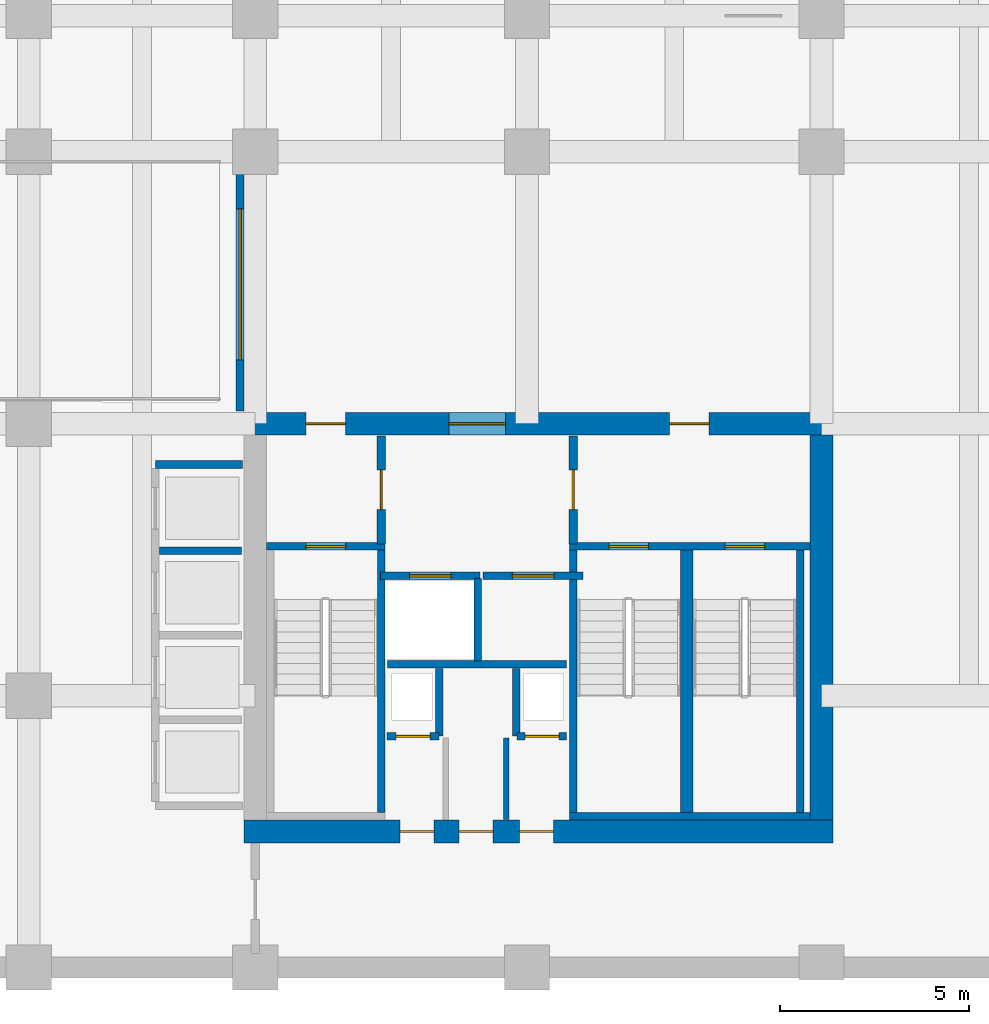
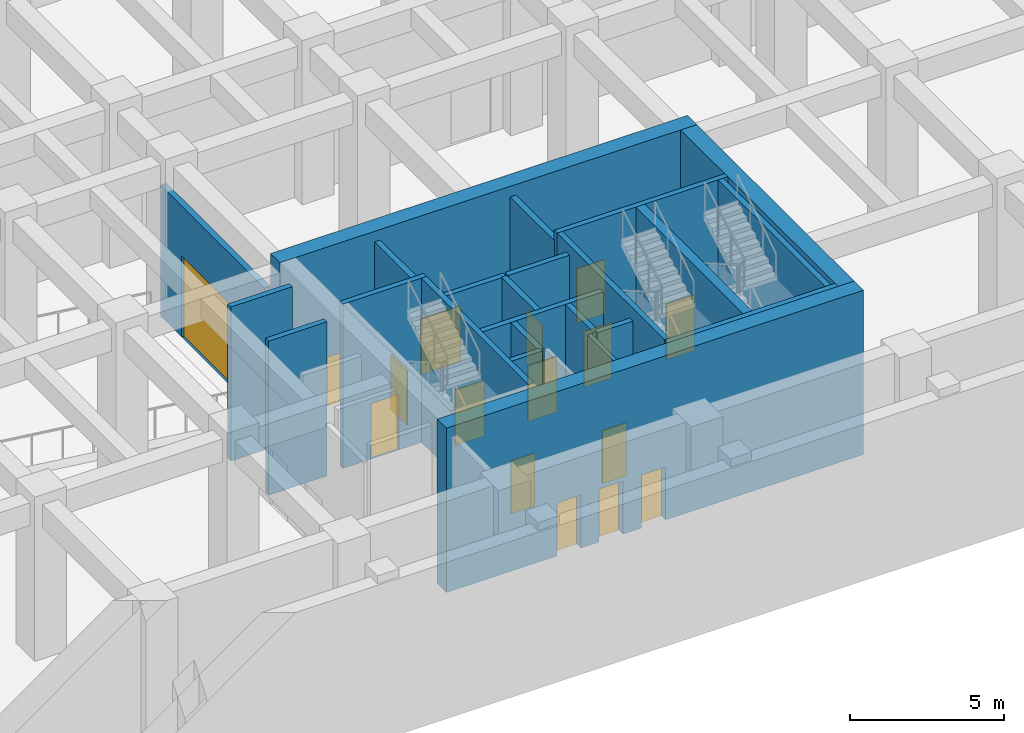
# One storey, part 5 of 13: 24 walls, 16 doors, 16 openings.
"""IFC4 building model written with IfcOpenShell, lengths in metres."""

from ifc_helpers import new_model, si_unit, derived_unit, direction, frame, frame_2d, origin, place, context, subcontext, project, spatial, rectangle, extrude, source, transform, mapped, material, layer, layer_set, type_object, type_shapes, element, fill, save


model = new_model("IFC4")

# Units and contexts
model_context = context("Model", 3, precision=1e-05, world=origin(), true_north=direction((0.0, 1.0)))
body_context = subcontext(model_context, "Body", "Model", "MODEL_VIEW")
ifc_project = project(units=[si_unit("LENGTHUNIT", "METRE"), si_unit("AREAUNIT", "SQUARE_METRE"), si_unit("VOLUMEUNIT", "CUBIC_METRE"), si_unit("PLANEANGLEUNIT", "RADIAN"), si_unit("MASSUNIT", "GRAM", prefix="KILO"), si_unit("THERMODYNAMICTEMPERATUREUNIT", "KELVIN"), si_unit("POWERUNIT", "WATT"), derived_unit("THERMALTRANSMITTANCEUNIT", [(si_unit("POWERUNIT", "WATT"), 1), (si_unit("AREAUNIT", "SQUARE_METRE"), -1), (si_unit("THERMODYNAMICTEMPERATUREUNIT", "KELVIN"), -1)])], contexts=[model_context])

# Site, building, storey
site_placement = place(None, origin())
site = spatial("IfcSite", under=ifc_project, at=site_placement, CompositionType="ELEMENT")
building_placement = place(site_placement, origin())
building = spatial("IfcBuilding", under=site, at=building_placement, Name="Zahravan Archway Hotel and Residences", CompositionType="ELEMENT")
storey_placement = place(building_placement, frame((0.0, 0.0, -6.5)))
storey = spatial("IfcBuildingStorey", under=building, at=storey_placement, Name="B01", CompositionType="ELEMENT", Elevation=-6.5)

# Wall, openings, doors
ifc_material_1 = material(Name="Concrete C70/85", Category="concrete")
ifc_layer_1 = layer(ifc_material_1, 0.60009765625, Name="Concrete C70/85", Category="concrete")
ifc_layer_set_1 = layer_set([ifc_layer_1], Name="Concrete C70/85")
wall_type_1 = type_object("IfcWallType", Name="CW-CORE-600", PredefinedType="SHEAR", material=ifc_layer_set_1)
wall_1_placement = place(storey_placement, frame((34.5, 3.60009765625, 0.0), z_axis=(0.0, 0.0, 1.0), x_axis=(1.0, 0.0, 0.0)))
wall_1 = element("IfcWall", 1, at=wall_1_placement, inside=storey, type_object=wall_type_1, Name="B01 Core A Shear S Wall 600 mm", PredefinedType="SHEAR", context=body_context, shape_type="SweptSolid", body=[
    extrude(rectangle(XDim=15.60009765625, YDim=0.60009765625, at=frame_2d((7.800048828125, 0.0))), origin(), (0.0, 0.0, 1.0), 6.5),
])
opening_1_placement = place(wall_1_placement, frame((4.1298828125, 0.0, 0.0)))
opening_1 = element("IfcOpeningElement", 2, at=opening_1_placement, cuts=wall_1, Name="Opening FD-R1", PredefinedType="OPENING", context=body_context, shape_type="SweptSolid", body=[
    extrude(rectangle(XDim=0.89990234375, YDim=2.10009765625, at=frame_2d((0.449951171875, 1.050048828125))), frame((0.0, 0.31005859375, 0.0), z_axis=(0.0, -1.0, 0.0), x_axis=(1.0, 0.0, 0.0)), (0.0, 0.0, 1.0), 0.6201171875),
])
opening_2_placement = place(wall_1_placement, frame((5.699951171875, 0.0, 0.0)))
opening_2 = element("IfcOpeningElement", 3, at=opening_2_placement, cuts=wall_1, Name="Opening FD-R1", PredefinedType="OPENING", context=body_context, shape_type="SweptSolid", body=[
    extrude(rectangle(XDim=0.89990234375, YDim=2.10009765625, at=frame_2d((0.449951171875, 1.050048828125))), frame((0.0, 0.31005859375, 0.0), z_axis=(0.0, -1.0, 0.0), x_axis=(1.0, 0.0, 0.0)), (0.0, 0.0, 1.0), 0.6201171875),
])
opening_3_placement = place(wall_1_placement, frame((7.300048828125, 0.0, 0.0)))
opening_3 = element("IfcOpeningElement", 4, at=opening_3_placement, cuts=wall_1, Name="Opening FD-R1", PredefinedType="OPENING", context=body_context, shape_type="SweptSolid", body=[
    extrude(rectangle(XDim=0.89990234375, YDim=2.10009765625, at=frame_2d((0.449951171875, 1.050048828125))), frame((0.0, 0.31005859375, 0.0), z_axis=(0.0, -1.0, 0.0), x_axis=(1.0, 0.0, 0.0)), (0.0, 0.0, 1.0), 0.6201171875),
])
ifc_material_2 = material(Name="Fire-Rated Painted Steel", Category="steel")
door_type_1 = type_object("IfcDoorType", Name="FD-RISER-900", OperationType="NOTDEFINED", PredefinedType="DOOR", material=ifc_material_2)
shared_shape_1 = source(origin(), body_context, "Body", "SweptSolid", [
    extrude(rectangle(XDim=0.89990234375, YDim=2.10009765625, at=frame_2d((0.449951171875, 1.050048828125))), frame((0.0, 0.02490234375, 0.0), z_axis=(0.0, -1.0, 0.0), x_axis=(1.0, 0.0, 0.0)), (0.0, 0.0, 1.0), 0.050048828125),
])
type_shapes(door_type_1, [shared_shape_1])
door_1_placement = place(opening_1_placement, origin())
door_1 = element("IfcDoor", 5, at=door_1_placement, inside=storey, type_object=door_type_1, Name="B01 Linen Store Door", OperationType="SINGLE_SWING_RIGHT", OverallHeight=2.10009765625, OverallWidth=0.89990234375, PredefinedType="DOOR", context=body_context, shape_type="MappedRepresentation", body=[
    mapped(shared_shape_1, transform((0.0, 0.0, 0.0), scale=1.0)),
])
fill(opening_1, door_1)
door_2_placement = place(opening_2_placement, origin())
door_2 = element("IfcDoor", 6, at=door_2_placement, inside=storey, type_object=door_type_1, Name="B01 Housekeeping Store Door", OperationType="SINGLE_SWING_LEFT", OverallHeight=2.10009765625, OverallWidth=0.89990234375, PredefinedType="DOOR", context=body_context, shape_type="MappedRepresentation", body=[
    mapped(shared_shape_1, transform((0.0, 0.0, 0.0), scale=1.0)),
])
fill(opening_2, door_2)
door_3_placement = place(opening_3_placement, origin())
door_3 = element("IfcDoor", 7, at=door_3_placement, inside=storey, type_object=door_type_1, Name="B01 Janitor Store Door", OperationType="SINGLE_SWING_RIGHT", OverallHeight=2.10009765625, OverallWidth=0.89990234375, PredefinedType="DOOR", context=body_context, shape_type="MappedRepresentation", body=[
    mapped(shared_shape_1, transform((0.0, 0.0, 0.0), scale=1.0)),
])
fill(opening_3, door_3)

wall_2_placement = place(storey_placement, frame((34.5, 14.39990234375, 0.0), z_axis=(0.0, 0.0, 1.0), x_axis=(1.0, 0.0, 0.0)))
wall_2 = element("IfcWall", 8, at=wall_2_placement, inside=storey, type_object=wall_type_1, Name="B01 Core A Shear N Wall 600 mm", PredefinedType="SHEAR", context=body_context, shape_type="SweptSolid", body=[
    extrude(rectangle(XDim=15.60009765625, YDim=0.60009765625, at=frame_2d((7.800048828125, 0.0))), origin(), (0.0, 0.0, 1.0), 6.5),
])
opening_4_placement = place(wall_2_placement, frame((5.429931640625, 0.0, 0.0)))
opening_4 = element("IfcOpeningElement", 9, at=opening_4_placement, cuts=wall_2, Name="Opening FD-L1", PredefinedType="OPENING", context=body_context, shape_type="SweptSolid", body=[
    extrude(rectangle(XDim=1.5, YDim=2.199951171875, at=frame_2d((0.75, 1.10009765625))), frame((0.0, 0.31005859375, 0.0), z_axis=(0.0, -1.0, 0.0), x_axis=(1.0, 0.0, 0.0)), (0.0, 0.0, 1.0), 0.6201171875),
])
opening_5_placement = place(wall_2_placement, frame((1.64501953125, 0.0, 0.0)))
opening_5 = element("IfcOpeningElement", 10, at=opening_5_placement, cuts=wall_2, Name="Opening FD-L2", PredefinedType="OPENING", context=body_context, shape_type="SweptSolid", body=[
    extrude(rectangle(XDim=1.050048828125, YDim=2.14990234375, at=frame_2d((0.52490234375, 1.074951171875))), frame((0.0, 0.31005859375, 0.0), z_axis=(0.0, -1.0, 0.0), x_axis=(1.0, 0.0, 0.0)), (0.0, 0.0, 1.0), 0.6201171875),
])
opening_6_placement = place(wall_2_placement, frame((11.27490234375, 0.0, 0.0)))
opening_6 = element("IfcOpeningElement", 11, at=opening_6_placement, cuts=wall_2, Name="Opening FD-L2", PredefinedType="OPENING", context=body_context, shape_type="SweptSolid", body=[
    extrude(rectangle(XDim=1.050048828125, YDim=2.14990234375, at=frame_2d((0.52490234375, 1.074951171875))), frame((0.0, 0.31005859375, 0.0), z_axis=(0.0, -1.0, 0.0), x_axis=(1.0, 0.0, 0.0)), (0.0, 0.0, 1.0), 0.6201171875),
])
door_type_2 = type_object("IfcDoorType", Name="FD-LOBBY-1100", OperationType="NOTDEFINED", PredefinedType="DOOR", material=ifc_material_2)
shared_shape_2 = source(origin(), body_context, "Body", "SweptSolid", [
    extrude(rectangle(XDim=1.050048828125, YDim=2.14990234375, at=frame_2d((0.52490234375, 1.074951171875))), frame((0.0, 0.02490234375, 0.0), z_axis=(0.0, -1.0, 0.0), x_axis=(1.0, 0.0, 0.0)), (0.0, 0.0, 1.0), 0.050048828125),
])
type_shapes(door_type_2, [shared_shape_2])
door_4_placement = place(opening_5_placement, origin())
door_4 = element("IfcDoor", 12, at=door_4_placement, inside=storey, type_object=door_type_2, Name="B01 Core A West Stair Lobby Door", OperationType="SINGLE_SWING_RIGHT", OverallHeight=2.14990234375, OverallWidth=1.050048828125, PredefinedType="DOOR", context=body_context, shape_type="MappedRepresentation", body=[
    mapped(shared_shape_2, transform((0.0, 0.0, 0.0), scale=1.0)),
])
fill(opening_5, door_4)
door_5_placement = place(opening_6_placement, origin())
door_5 = element("IfcDoor", 13, at=door_5_placement, inside=storey, type_object=door_type_2, Name="B01 Core A East Stair Lobby Door", OperationType="SINGLE_SWING_LEFT", OverallHeight=2.14990234375, OverallWidth=1.050048828125, PredefinedType="DOOR", context=body_context, shape_type="MappedRepresentation", body=[
    mapped(shared_shape_2, transform((0.0, 0.0, 0.0), scale=1.0)),
])
fill(opening_6, door_5)
door_type_3 = type_object("IfcDoorType", Name="FD-LOBBY-1500", OperationType="DOUBLE_DOOR_SINGLE_SWING", PredefinedType="DOOR", material=ifc_material_2)
shared_shape_3 = source(origin(), body_context, "Body", "SweptSolid", [
    extrude(rectangle(XDim=1.5, YDim=2.199951171875, at=frame_2d((0.75, 1.10009765625))), frame((0.0, 0.02490234375, 0.0), z_axis=(0.0, -1.0, 0.0), x_axis=(1.0, 0.0, 0.0)), (0.0, 0.0, 1.0), 0.050048828125),
])
type_shapes(door_type_3, [shared_shape_3])
door_6_placement = place(opening_4_placement, origin())
door_6 = element("IfcDoor", 14, at=door_6_placement, inside=storey, type_object=door_type_3, Name="B01 Core A FSAE Lobby Main Door", OperationType="DOUBLE_DOOR_SINGLE_SWING", OverallHeight=2.199951171875, OverallWidth=1.5, PredefinedType="DOOR", context=body_context, shape_type="MappedRepresentation", body=[
    mapped(shared_shape_3, transform((0.0, 0.0, 0.0), scale=1.0)),
])
fill(opening_4, door_6)

# Wall
wall_3_placement = place(storey_placement, frame((49.800048828125, 3.89990234375, 0.0), z_axis=(0.0, 0.0, 1.0), x_axis=(0.0, 1.0, 0.0)))
element("IfcWall", 15, at=wall_3_placement, inside=storey, type_object=wall_type_1, Name="B01 Core A Shear E Wall 600 mm", PredefinedType="SHEAR", context=body_context, shape_type="SweptSolid", body=[
    extrude(rectangle(XDim=10.2001953125, YDim=0.60009765625, at=frame_2d((5.10009765625, 0.0))), origin(), (0.0, 0.0, 1.0), 6.5),
])

# Wall, opening, door
ifc_material_3 = material(Name="Fire-Rated Gypsum & Concrete Block", Category="concrete")
ifc_layer_2 = layer(ifc_material_3, 0.219970703125, Name="Fire-Rated Gypsum & Concrete Block", Category="concrete")
ifc_layer_set_2 = layer_set([ifc_layer_2], Name="Fire-Rated Gypsum & Concrete Block")
wall_type_2 = type_object("IfcWallType", Name="PW-COMP-220", PredefinedType="PARTITIONING", material=ifc_layer_set_2)
wall_4_placement = place(storey_placement, frame((38.139892578125, 11.219970703125, 0.0), z_axis=(0.0, 0.0, 1.0), x_axis=(0.0, 1.0, 0.0)))
wall_4 = element("IfcWall", 16, at=wall_4_placement, inside=storey, type_object=wall_type_2, Name="B01 Partition CA-LOBW", PredefinedType="PARTITIONING", context=body_context, shape_type="SweptSolid", body=[
    extrude(rectangle(XDim=2.860107421875, YDim=0.219970703125, at=frame_2d((1.43017578125, 0.0))), origin(), (0.0, 0.0, 1.0), 6.10009765625),
])
opening_7_placement = place(wall_4_placement, frame((0.905029296875, 0.0, 0.0)))
opening_7 = element("IfcOpeningElement", 17, at=opening_7_placement, cuts=wall_4, Name="Opening FD-L2", PredefinedType="OPENING", context=body_context, shape_type="SweptSolid", body=[
    extrude(rectangle(XDim=1.050048828125, YDim=2.14990234375, at=frame_2d((0.52490234375, 1.074951171875))), frame((0.0, 0.1201171875, 0.0), z_axis=(0.0, -1.0, 0.0), x_axis=(1.0, 0.0, 0.0)), (0.0, 0.0, 1.0), 0.239990234375),
])
door_7_placement = place(opening_7_placement, origin())
door_7 = element("IfcDoor", 18, at=door_7_placement, inside=storey, type_object=door_type_2, Name="B01 Core A West Stair to FSAE Lobby Door", OperationType="SINGLE_SWING_RIGHT", OverallHeight=2.14990234375, OverallWidth=1.050048828125, PredefinedType="DOOR", context=body_context, shape_type="MappedRepresentation", body=[
    mapped(shared_shape_2, transform((0.0, 0.0, 0.0), scale=1.0)),
])
fill(opening_7, door_7)

wall_5_placement = place(storey_placement, frame((43.219970703125, 11.219970703125, 0.0), z_axis=(0.0, 0.0, 1.0), x_axis=(0.0, 1.0, 0.0)))
wall_5 = element("IfcWall", 19, at=wall_5_placement, inside=storey, type_object=wall_type_2, Name="B01 Partition CA-LOBE", PredefinedType="PARTITIONING", context=body_context, shape_type="SweptSolid", body=[
    extrude(rectangle(XDim=2.860107421875, YDim=0.219970703125, at=frame_2d((1.43017578125, 0.0))), origin(), (0.0, 0.0, 1.0), 6.10009765625),
])
opening_8_placement = place(wall_5_placement, frame((0.905029296875, 0.0, 0.0)))
opening_8 = element("IfcOpeningElement", 20, at=opening_8_placement, cuts=wall_5, Name="Opening FD-L2", PredefinedType="OPENING", context=body_context, shape_type="SweptSolid", body=[
    extrude(rectangle(XDim=1.050048828125, YDim=2.14990234375, at=frame_2d((0.52490234375, 1.074951171875))), frame((0.0, 0.1201171875, 0.0), z_axis=(0.0, -1.0, 0.0), x_axis=(1.0, 0.0, 0.0)), (0.0, 0.0, 1.0), 0.239990234375),
])
door_8_placement = place(opening_8_placement, origin())
door_8 = element("IfcDoor", 21, at=door_8_placement, inside=storey, type_object=door_type_2, Name="B01 Core A East Stair to FSAE Lobby Door", OperationType="SINGLE_SWING_LEFT", OverallHeight=2.14990234375, OverallWidth=1.050048828125, PredefinedType="DOOR", context=body_context, shape_type="MappedRepresentation", body=[
    mapped(shared_shape_2, transform((0.0, 0.0, 0.0), scale=1.0)),
])
fill(opening_8, door_8)

wall_6_placement = place(storey_placement, frame((34.39990234375, 14.739990234375, 0.0), z_axis=(0.0, 0.0, 1.0), x_axis=(0.0, 1.0, 0.0)))
wall_6 = element("IfcWall", 22, at=wall_6_placement, inside=storey, type_object=wall_type_2, Name="B01 Partition B1-VG-PORT", PredefinedType="PARTITIONING", context=body_context, shape_type="SweptSolid", body=[
    extrude(rectangle(XDim=6.719970703125, YDim=0.219970703125, at=frame_2d((3.35986328125, 0.0))), origin(), (0.0, 0.0, 1.0), 5.18505859375),
])
opening_9_placement = place(wall_6_placement, frame((1.35009765625, 0.0, 0.0)))
opening_9 = element("IfcOpeningElement", 23, at=opening_9_placement, cuts=wall_6, Name="Opening VG-1", PredefinedType="OPENING", context=body_context, shape_type="SweptSolid", body=[
    extrude(rectangle(XDim=4.0, YDim=3.199951171875, at=frame_2d((2.0, 1.60009765625))), frame((0.0, 0.1201171875, 0.0), z_axis=(0.0, -1.0, 0.0), x_axis=(1.0, 0.0, 0.0)), (0.0, 0.0, 1.0), 0.239990234375),
])
ifc_material_4 = material(Name="Perforated Powder-Coated Steel", Category="steel")
door_type_4 = type_object("IfcDoorType", Name="VG-SHUTTER-6000", OperationType="ROLLINGUP", PredefinedType="GATE", material=ifc_material_4)
shared_shape_4 = source(origin(), body_context, "Body", "SweptSolid", [
    extrude(rectangle(XDim=4.0, YDim=3.199951171875, at=frame_2d((2.0, 1.60009765625))), frame((0.0, 0.02490234375, 0.0), z_axis=(0.0, -1.0, 0.0), x_axis=(1.0, 0.0, 0.0)), (0.0, 0.0, 1.0), 0.050048828125),
])
type_shapes(door_type_4, [shared_shape_4])
door_9_placement = place(opening_9_placement, origin())
door_9 = element("IfcDoor", 24, at=door_9_placement, inside=storey, type_object=door_type_4, Name="B01 Car Park Ramp Security Rolling Gate VG-1", OperationType="ROLLINGUP", OverallHeight=3.199951171875, OverallWidth=4.0, PredefinedType="GATE", context=body_context, shape_type="MappedRepresentation", body=[
    mapped(shared_shape_4, transform((0.0, 0.0, 0.0), scale=1.0)),
])
fill(opening_9, door_9)

# Walls
ifc_layer_3 = layer(ifc_material_3, 0.199951171875, Name="Fire-Rated Gypsum & Concrete Block", Category="concrete")
ifc_layer_set_3 = layer_set([ifc_layer_3], Name="Fire-Rated Gypsum & Concrete Block")
wall_type_3 = type_object("IfcWallType", Name="PW-SHAFT-200", PredefinedType="PARTITIONING", material=ifc_layer_set_3)
wall_7_placement = place(storey_placement, frame((38.300048828125, 8.030029296875, 0.0), z_axis=(0.0, 0.0, 1.0), x_axis=(1.0, 0.0, 0.0)))
element("IfcWall", 25, at=wall_7_placement, inside=storey, type_object=wall_type_3, Name="B01 Partition CA-FLS", PredefinedType="PARTITIONING", context=body_context, shape_type="SweptSolid", body=[
    extrude(rectangle(XDim=4.739990234375, YDim=0.199951171875, at=frame_2d((2.3701171875, 0.0))), origin(), (0.0, 0.0, 1.0), 6.10009765625),
])
wall_8_placement = place(storey_placement, frame((40.699951171875, 8.1201171875, 0.0), z_axis=(0.0, 0.0, 1.0), x_axis=(0.0, 1.0, 0.0)))
element("IfcWall", 26, at=wall_8_placement, inside=storey, type_object=wall_type_3, Name="B01 Partition CA-FLM", PredefinedType="PARTITIONING", context=body_context, shape_type="SweptSolid", body=[
    extrude(rectangle(XDim=2.179931640625, YDim=0.199951171875, at=frame_2d((1.08984375, 0.0))), origin(), (0.0, 0.0, 1.0), 6.10009765625),
])

# Wall, opening, door
wall_9_placement = place(storey_placement, frame((38.2900390625, 6.1201171875, 0.0), z_axis=(0.0, 0.0, 1.0), x_axis=(1.0, 0.0, 0.0)))
wall_9 = element("IfcWall", 27, at=wall_9_placement, inside=storey, type_object=wall_type_3, Name="B01 Partition CA-SMKS", PredefinedType="PARTITIONING", context=body_context, shape_type="SweptSolid", body=[
    extrude(rectangle(XDim=1.3798828125, YDim=0.199951171875, at=frame_2d((0.68994140625, 0.0))), origin(), (0.0, 0.0, 1.0), 6.10009765625),
])
opening_10_placement = place(wall_9_placement, frame((0.239990234375, 0.0, 0.0)))
opening_10 = element("IfcOpeningElement", 28, at=opening_10_placement, cuts=wall_9, Name="Opening FD-R1", PredefinedType="OPENING", context=body_context, shape_type="SweptSolid", body=[
    extrude(rectangle(XDim=0.89990234375, YDim=2.10009765625, at=frame_2d((0.449951171875, 1.050048828125))), frame((0.0, 0.10986328125, 0.0), z_axis=(0.0, -1.0, 0.0), x_axis=(1.0, 0.0, 0.0)), (0.0, 0.0, 1.0), 0.219970703125),
])
door_10_placement = place(opening_10_placement, origin())
door_10 = element("IfcDoor", 29, at=door_10_placement, inside=storey, type_object=door_type_1, Name="B01 Smoke Riser Access Door", OperationType="SINGLE_SWING_RIGHT", OverallHeight=2.10009765625, OverallWidth=0.89990234375, PredefinedType="DOOR", context=body_context, shape_type="MappedRepresentation", body=[
    mapped(shared_shape_1, transform((0.0, 0.0, 0.0), scale=1.0)),
])
fill(opening_10, door_10)

# Wall
wall_10_placement = place(storey_placement, frame((39.679931640625, 6.1298828125, 0.0), z_axis=(0.0, 0.0, 1.0), x_axis=(0.0, 1.0, 0.0)))
element("IfcWall", 30, at=wall_10_placement, inside=storey, type_object=wall_type_3, Name="B01 Partition CA-SMKE", PredefinedType="PARTITIONING", context=body_context, shape_type="SweptSolid", body=[
    extrude(rectangle(XDim=1.7900390625, YDim=0.199951171875, at=frame_2d((0.89501953125, 0.0))), origin(), (0.0, 0.0, 1.0), 6.10009765625),
])

# Wall, opening, door
wall_11_placement = place(storey_placement, frame((41.72998046875, 6.1201171875, 0.0), z_axis=(0.0, 0.0, 1.0), x_axis=(1.0, 0.0, 0.0)))
wall_11 = element("IfcWall", 31, at=wall_11_placement, inside=storey, type_object=wall_type_3, Name="B01 Partition CA-MEPS", PredefinedType="PARTITIONING", context=body_context, shape_type="SweptSolid", body=[
    extrude(rectangle(XDim=1.320068359375, YDim=0.199951171875, at=frame_2d((0.66015625, 0.0))), origin(), (0.0, 0.0, 1.0), 6.10009765625),
])
opening_11_placement = place(wall_11_placement, frame((0.219970703125, 0.0, 0.0)))
opening_11 = element("IfcOpeningElement", 32, at=opening_11_placement, cuts=wall_11, Name="Opening FD-R1", PredefinedType="OPENING", context=body_context, shape_type="SweptSolid", body=[
    extrude(rectangle(XDim=0.89990234375, YDim=2.10009765625, at=frame_2d((0.449951171875, 1.050048828125))), frame((0.0, 0.10986328125, 0.0), z_axis=(0.0, -1.0, 0.0), x_axis=(1.0, 0.0, 0.0)), (0.0, 0.0, 1.0), 0.219970703125),
])
door_11_placement = place(opening_11_placement, origin())
door_11 = element("IfcDoor", 33, at=door_11_placement, inside=storey, type_object=door_type_1, Name="B01 MEP Riser Access Door", OperationType="SINGLE_SWING_LEFT", OverallHeight=2.10009765625, OverallWidth=0.89990234375, PredefinedType="DOOR", context=body_context, shape_type="MappedRepresentation", body=[
    mapped(shared_shape_1, transform((0.0, 0.0, 0.0), scale=1.0)),
])
fill(opening_11, door_11)

# Walls
wall_12_placement = place(storey_placement, frame((41.719970703125, 6.1298828125, 0.0), z_axis=(0.0, 0.0, 1.0), x_axis=(0.0, 1.0, 0.0)))
element("IfcWall", 34, at=wall_12_placement, inside=storey, type_object=wall_type_3, Name="B01 Partition CA-MEPW", PredefinedType="PARTITIONING", context=body_context, shape_type="SweptSolid", body=[
    extrude(rectangle(XDim=1.7900390625, YDim=0.199951171875, at=frame_2d((0.89501953125, 0.0))), origin(), (0.0, 0.0, 1.0), 6.10009765625),
])
wall_13_placement = place(storey_placement, frame((32.159912109375, 13.320068359375, 0.0), z_axis=(0.0, 0.0, 1.0), x_axis=(1.0, 0.0, 0.0)))
element("IfcWall", 35, at=wall_13_placement, inside=storey, type_object=wall_type_3, Name="B01 Partition B3-N", PredefinedType="PARTITIONING", context=body_context, shape_type="SweptSolid", body=[
    extrude(rectangle(XDim=2.31005859375, YDim=0.199951171875, at=frame_2d((1.155029296875, 0.0))), origin(), (0.0, 0.0, 1.0), 6.10009765625),
])
wall_14_placement = place(storey_placement, frame((32.260009765625, 11.0400390625, 0.0), z_axis=(0.0, 0.0, 1.0), x_axis=(1.0, 0.0, 0.0)))
element("IfcWall", 36, at=wall_14_placement, inside=storey, type_object=wall_type_3, Name="B01 Partition B3-D", PredefinedType="PARTITIONING", context=body_context, shape_type="SweptSolid", body=[
    extrude(rectangle(XDim=2.179931640625, YDim=0.199951171875, at=frame_2d((1.08984375, 0.0))), origin(), (0.0, 0.0, 1.0), 6.10009765625),
])

# Wall, opening, door
wall_15_placement = place(storey_placement, frame((38.1201171875, 10.3701171875, 0.0), z_axis=(0.0, 0.0, 1.0), x_axis=(1.0, 0.0, 0.0)))
wall_15 = element("IfcWall", 37, at=wall_15_placement, inside=storey, type_object=wall_type_3, Name="B01 Lift FL-1 Front Wall", PredefinedType="PARTITIONING", context=body_context, shape_type="SweptSolid", body=[
    extrude(rectangle(XDim=2.639892578125, YDim=0.199951171875, at=frame_2d((1.31982421875, 0.0))), origin(), (0.0, 0.0, 1.0), 6.10009765625),
])
opening_12_placement = place(wall_15_placement, frame((0.77001953125, 0.0, 0.0)))
opening_12 = element("IfcOpeningElement", 38, at=opening_12_placement, cuts=wall_15, Name="Opening LD", PredefinedType="OPENING", context=body_context, shape_type="SweptSolid", body=[
    extrude(rectangle(XDim=1.10009765625, YDim=2.199951171875, at=frame_2d((0.550048828125, 1.10009765625))), frame((0.0, 0.10986328125, 0.0), z_axis=(0.0, -1.0, 0.0), x_axis=(1.0, 0.0, 0.0)), (0.0, 0.0, 1.0), 0.219970703125),
])
ifc_material_5 = material(Name="Brushed Stainless Steel", Category="steel")
door_type_5 = type_object("IfcDoorType", Name="DR-LIFT-LD", OperationType="SLIDING_TO_LEFT", PredefinedType="DOOR", material=ifc_material_5)
shared_shape_5 = source(origin(), body_context, "Body", "SweptSolid", [
    extrude(rectangle(XDim=1.10009765625, YDim=2.199951171875, at=frame_2d((0.550048828125, 1.10009765625))), frame((0.0, 0.02490234375, 0.0), z_axis=(0.0, -1.0, 0.0), x_axis=(1.0, 0.0, 0.0)), (0.0, 0.0, 1.0), 0.050048828125),
])
type_shapes(door_type_5, [shared_shape_5])
door_12_placement = place(opening_12_placement, origin())
door_12 = element("IfcDoor", 39, at=door_12_placement, inside=storey, type_object=door_type_5, Name="B01 Lift FL-1 Sliding Landing Door", OperationType="SLIDING_TO_LEFT", OverallHeight=2.199951171875, OverallWidth=1.10009765625, PredefinedType="DOOR", context=body_context, shape_type="MappedRepresentation", body=[
    mapped(shared_shape_5, transform((0.0, 0.0, 0.0), scale=1.0)),
])
fill(opening_12, door_12)

wall_16_placement = place(storey_placement, frame((40.840087890625, 10.3701171875, 0.0), z_axis=(0.0, 0.0, 1.0), x_axis=(1.0, 0.0, 0.0)))
wall_16 = element("IfcWall", 40, at=wall_16_placement, inside=storey, type_object=wall_type_3, Name="B01 Lift FL-2 Front Wall", PredefinedType="PARTITIONING", context=body_context, shape_type="SweptSolid", body=[
    extrude(rectangle(XDim=2.639892578125, YDim=0.199951171875, at=frame_2d((1.31982421875, 0.0))), origin(), (0.0, 0.0, 1.0), 6.10009765625),
])
opening_13_placement = place(wall_16_placement, frame((0.77001953125, 0.0, 0.0)))
opening_13 = element("IfcOpeningElement", 41, at=opening_13_placement, cuts=wall_16, Name="Opening LD", PredefinedType="OPENING", context=body_context, shape_type="SweptSolid", body=[
    extrude(rectangle(XDim=1.10009765625, YDim=2.199951171875, at=frame_2d((0.550048828125, 1.10009765625))), frame((0.0, 0.10986328125, 0.0), z_axis=(0.0, -1.0, 0.0), x_axis=(1.0, 0.0, 0.0)), (0.0, 0.0, 1.0), 0.219970703125),
])
door_13_placement = place(opening_13_placement, origin())
door_13 = element("IfcDoor", 42, at=door_13_placement, inside=storey, type_object=door_type_5, Name="B01 Lift FL-2 Sliding Landing Door", OperationType="SLIDING_TO_LEFT", OverallHeight=2.199951171875, OverallWidth=1.10009765625, PredefinedType="DOOR", context=body_context, shape_type="MappedRepresentation", body=[
    mapped(shared_shape_5, transform((0.0, 0.0, 0.0), scale=1.0)),
])
fill(opening_13, door_13)

# Walls
ifc_material_6 = material(Name="Moisture-Resistant Blockwork", Category="masonry")
ifc_layer_4 = layer(ifc_material_6, 0.139892578125, Name="Moisture-Resistant Blockwork", Category="masonry")
ifc_layer_set_4 = layer_set([ifc_layer_4], Name="Moisture-Resistant Blockwork")
wall_type_4 = type_object("IfcWallType", Name="PW-WET-140", PredefinedType="PARTITIONING", material=ifc_layer_set_4)
wall_17_placement = place(storey_placement, frame((41.449951171875, 3.919921875, 0.0), z_axis=(0.0, 0.0, 1.0), x_axis=(0.0, 1.0, 0.0)))
element("IfcWall", 43, at=wall_17_placement, inside=storey, type_object=wall_type_4, Name="B01 Partition CA-CV1B", PredefinedType="PARTITIONING", context=body_context, shape_type="SweptSolid", body=[
    extrude(rectangle(XDim=2.16015625, YDim=0.139892578125, at=frame_2d((1.080078125, 0.0))), origin(), (0.0, 0.0, 1.0), 6.10009765625),
])
ifc_material_7 = material(Name="Concrete C50/60", Category="concrete")
ifc_layer_5 = layer(ifc_material_7, 0.199951171875, Name="Concrete C50/60", Category="concrete")
ifc_layer_set_5 = layer_set([ifc_layer_5], Name="Concrete C50/60")
wall_type_5 = type_object("IfcWallType", Name="SW-STAIR-200", PredefinedType="SHEAR", material=ifc_layer_set_5)
wall_18_placement = place(storey_placement, frame((38.139892578125, 4.10009765625, 0.0), z_axis=(0.0, 0.0, 1.0), x_axis=(0.0, 1.0, 0.0)))
element("IfcWall", 44, at=wall_18_placement, inside=storey, type_object=wall_type_5, Name="B01 Stairwell RC Wall CA-SA1E", PredefinedType="SHEAR", context=body_context, shape_type="SweptSolid", body=[
    extrude(rectangle(XDim=6.949951171875, YDim=0.199951171875, at=frame_2d((3.47509765625, 0.0))), origin(), (0.0, 0.0, 1.0), 6.5),
])

# Wall, opening, door
wall_19_placement = place(storey_placement, frame((35.10009765625, 11.14990234375, 0.0), z_axis=(0.0, 0.0, 1.0), x_axis=(1.0, 0.0, 0.0)))
wall_19 = element("IfcWall", 45, at=wall_19_placement, inside=storey, type_object=wall_type_5, Name="B01 Stairwell RC Wall CA-SA1N", PredefinedType="SHEAR", context=body_context, shape_type="SweptSolid", body=[
    extrude(rectangle(XDim=3.139892578125, YDim=0.199951171875, at=frame_2d((1.56982421875, 0.0))), origin(), (0.0, 0.0, 1.0), 6.5),
])
opening_14_placement = place(wall_19_placement, frame((1.044921875, 0.0, 0.0)))
opening_14 = element("IfcOpeningElement", 46, at=opening_14_placement, cuts=wall_19, Name="Opening FD-S1", PredefinedType="OPENING", context=body_context, shape_type="SweptSolid", body=[
    extrude(rectangle(XDim=1.050048828125, YDim=2.199951171875, at=frame_2d((0.52490234375, 1.10009765625))), frame((0.0, 0.10986328125, 0.0), z_axis=(0.0, -1.0, 0.0), x_axis=(1.0, 0.0, 0.0)), (0.0, 0.0, 1.0), 0.219970703125),
])
door_type_6 = type_object("IfcDoorType", Name="FD-STAIR-1100", OperationType="NOTDEFINED", PredefinedType="DOOR", material=ifc_material_2)
shared_shape_6 = source(origin(), body_context, "Body", "SweptSolid", [
    extrude(rectangle(XDim=1.050048828125, YDim=2.199951171875, at=frame_2d((0.52490234375, 1.10009765625))), frame((0.0, 0.02490234375, 0.0), z_axis=(0.0, -1.0, 0.0), x_axis=(1.0, 0.0, 0.0)), (0.0, 0.0, 1.0), 0.050048828125),
])
type_shapes(door_type_6, [shared_shape_6])
door_14_placement = place(opening_14_placement, origin())
door_14 = element("IfcDoor", 47, at=door_14_placement, inside=storey, type_object=door_type_6, Name="B01 Stair ST-A1 Door", OperationType="SINGLE_SWING_LEFT", OverallHeight=2.199951171875, OverallWidth=1.050048828125, PredefinedType="DOOR", context=body_context, shape_type="MappedRepresentation", body=[
    mapped(shared_shape_6, transform((0.0, 0.0, 0.0), scale=1.0)),
])
fill(opening_14, door_14)

# Walls
wall_20_placement = place(storey_placement, frame((43.1201171875, 4.0, 0.0), z_axis=(0.0, 0.0, 1.0), x_axis=(1.0, 0.0, 0.0)))
element("IfcWall", 48, at=wall_20_placement, inside=storey, type_object=wall_type_5, Name="B01 Stairwell RC Wall CA-SA23S", PredefinedType="SHEAR", context=body_context, shape_type="SweptSolid", body=[
    extrude(rectangle(XDim=6.3798828125, YDim=0.199951171875, at=frame_2d((3.18994140625, 0.0))), origin(), (0.0, 0.0, 1.0), 6.5),
])
for number, where, z_axis, x_axis, name in (
    (49, (43.219970703125, 4.10009765625, 0.0), (0.0, 0.0, 1.0), (0.0, 1.0, 0.0), "B01 Stairwell RC Wall CA-SA2W"),
    (50, (49.239990234375, 4.10009765625, 0.0), (0.0, 0.0, 1.0), (0.0, 1.0, 0.0), "B01 Stairwell RC Wall CA-SA3E"),
):
    element("IfcWall", number, at=place(storey_placement, frame(where, z_axis=z_axis, x_axis=x_axis)), inside=storey, type_object=wall_type_5, Name=name, PredefinedType="SHEAR", context=body_context, shape_type="SweptSolid", body=[
        extrude(rectangle(XDim=6.949951171875, YDim=0.199951171875, at=frame_2d((3.47509765625, 0.0))), origin(), (0.0, 0.0, 1.0), 6.5),
    ])

# Wall, openings, doors
wall_21_placement = place(storey_placement, frame((43.1201171875, 11.14990234375, 0.0), z_axis=(0.0, 0.0, 1.0), x_axis=(1.0, 0.0, 0.0)))
wall_21 = element("IfcWall", 51, at=wall_21_placement, inside=storey, type_object=wall_type_5, Name="B01 Stairwell RC Wall CA-SA23N", PredefinedType="SHEAR", context=body_context, shape_type="SweptSolid", body=[
    extrude(rectangle(XDim=6.3798828125, YDim=0.199951171875, at=frame_2d((3.18994140625, 0.0))), origin(), (0.0, 0.0, 1.0), 6.5),
])
opening_15_placement = place(wall_21_placement, frame((1.044921875, 0.0, 0.0)))
opening_15 = element("IfcOpeningElement", 52, at=opening_15_placement, cuts=wall_21, Name="Opening FD-S1", PredefinedType="OPENING", context=body_context, shape_type="SweptSolid", body=[
    extrude(rectangle(XDim=1.050048828125, YDim=2.199951171875, at=frame_2d((0.52490234375, 1.10009765625))), frame((0.0, 0.10986328125, 0.0), z_axis=(0.0, -1.0, 0.0), x_axis=(1.0, 0.0, 0.0)), (0.0, 0.0, 1.0), 0.219970703125),
])
opening_16_placement = place(wall_21_placement, frame((4.125, 0.0, 0.0)))
opening_16 = element("IfcOpeningElement", 53, at=opening_16_placement, cuts=wall_21, Name="Opening FD-S1", PredefinedType="OPENING", context=body_context, shape_type="SweptSolid", body=[
    extrude(rectangle(XDim=1.050048828125, YDim=2.199951171875, at=frame_2d((0.52490234375, 1.10009765625))), frame((0.0, 0.10986328125, 0.0), z_axis=(0.0, -1.0, 0.0), x_axis=(1.0, 0.0, 0.0)), (0.0, 0.0, 1.0), 0.219970703125),
])
door_15_placement = place(opening_15_placement, origin())
door_15 = element("IfcDoor", 54, at=door_15_placement, inside=storey, type_object=door_type_6, Name="B01 Stair ST-A2 Door", OperationType="SINGLE_SWING_RIGHT", OverallHeight=2.199951171875, OverallWidth=1.050048828125, PredefinedType="DOOR", context=body_context, shape_type="MappedRepresentation", body=[
    mapped(shared_shape_6, transform((0.0, 0.0, 0.0), scale=1.0)),
])
fill(opening_15, door_15)
door_16_placement = place(opening_16_placement, origin())
door_16 = element("IfcDoor", 55, at=door_16_placement, inside=storey, type_object=door_type_6, Name="B01 Stair ST-A3 Door", OperationType="SINGLE_SWING_LEFT", OverallHeight=2.199951171875, OverallWidth=1.050048828125, PredefinedType="DOOR", context=body_context, shape_type="MappedRepresentation", body=[
    mapped(shared_shape_6, transform((0.0, 0.0, 0.0), scale=1.0)),
])
fill(opening_16, door_16)

# Wall
ifc_layer_6 = layer(ifc_material_7, 0.340087890625, Name="Concrete C50/60", Category="concrete")
ifc_layer_set_6 = layer_set([ifc_layer_6], Name="Concrete C50/60")
wall_type_6 = type_object("IfcWallType", Name="SW-STAIR-340", PredefinedType="SHEAR", material=ifc_layer_set_6)
wall_22_placement = place(storey_placement, frame((46.22998046875, 4.10009765625, 0.0), z_axis=(0.0, 0.0, 1.0), x_axis=(0.0, 1.0, 0.0)))
element("IfcWall", 56, at=wall_22_placement, inside=storey, type_object=wall_type_6, Name="B01 Stairwell RC Wall CA-SA23M", PredefinedType="SHEAR", context=body_context, shape_type="SweptSolid", body=[
    extrude(rectangle(XDim=6.949951171875, YDim=0.340087890625, at=frame_2d((3.47509765625, 0.0))), origin(), (0.0, 0.0, 1.0), 6.5),
])

save(model, "model.ifc")
